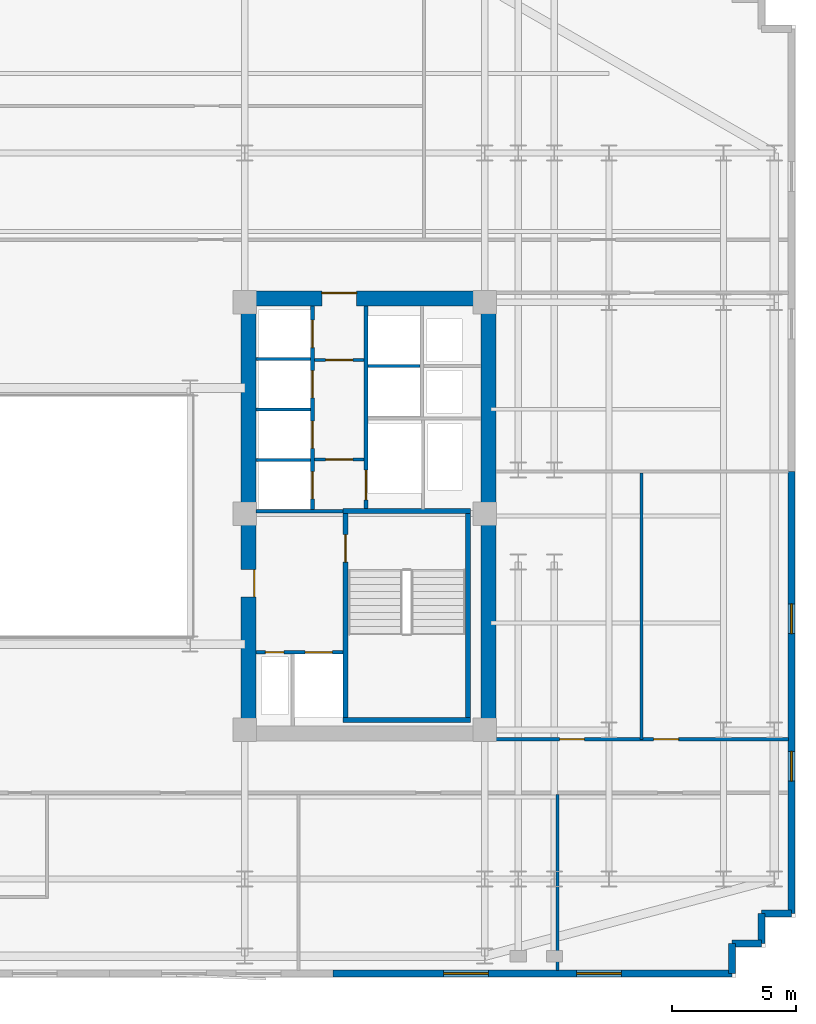
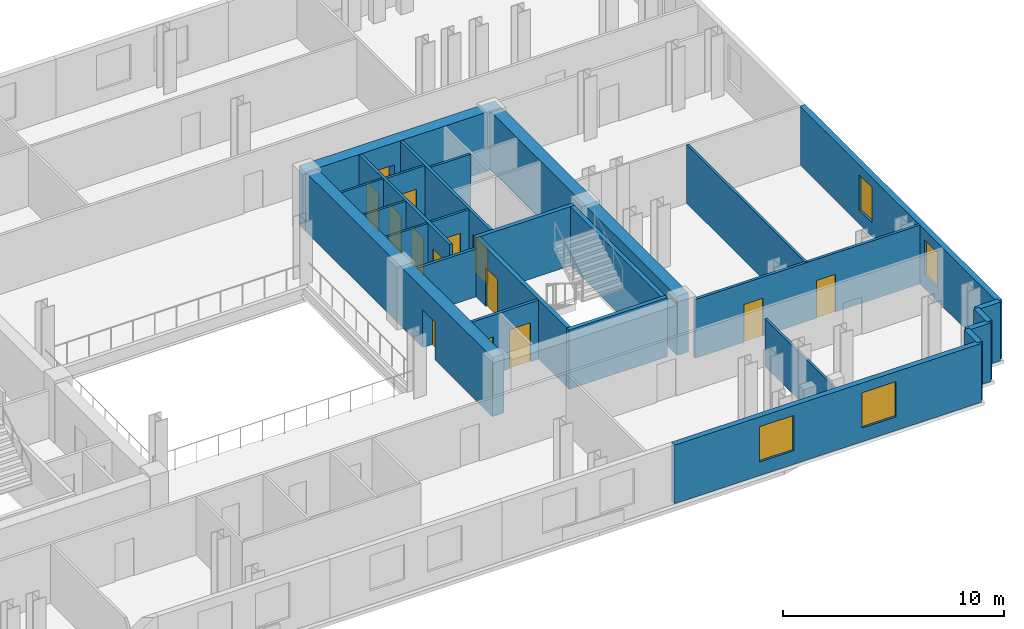
# One storey, part 6 of 10: 26 walls, 14 doors, 4 windows, 18 openings.
"""IFC4 building model written with IfcOpenShell, lengths in metres."""

from ifc_helpers import new_model, si_unit, direction, frame, frame_2d, origin, place, context, subcontext, project, spatial, rectangle, extrude, material, layer, layer_set, type_object, element, fill, save


model = new_model("IFC4")

# Units and contexts
model_context = context("Model", 3, precision=1e-05, world=origin(), true_north=direction((0.0, 1.0)))
body_context = subcontext(model_context, "Body", "Model", "MODEL_VIEW")
ifc_project = project(units=[si_unit("LENGTHUNIT", "METRE"), si_unit("AREAUNIT", "SQUARE_METRE"), si_unit("VOLUMEUNIT", "CUBIC_METRE"), si_unit("PLANEANGLEUNIT", "RADIAN"), si_unit("MASSUNIT", "GRAM", prefix="KILO")], contexts=[model_context])

# Site, building, storey
site_placement = place(None, origin())
site = spatial("IfcSite", under=ifc_project, at=site_placement, CompositionType="ELEMENT")
building_placement = place(site_placement, origin())
building = spatial("IfcBuilding", under=site, at=building_placement, Name="Velakula Bourse", CompositionType="ELEMENT")
storey_placement = place(building_placement, frame((0.0, 0.0, 141.550048828125)))
storey = spatial("IfcBuildingStorey", under=building, at=storey_placement, Name="L38", CompositionType="ELEMENT", Elevation=141.550048828125)

# Wall, opening, door
ifc_material_1 = material(Name="Concrete M50 (fck 50 MPa)", Category="concrete")
ifc_layer_1 = layer(ifc_material_1, 0.2099609375, Name="Concrete M50 (fck 50 MPa)", Category="concrete")
ifc_layer_set_1 = layer_set([ifc_layer_1], Name="Concrete M50 (fck 50 MPa)")
wall_type_1 = type_object("IfcWallType", Name="WL-CORE-210", PredefinedType="SHEAR", material=ifc_layer_set_1)
wall_1_placement = place(storey_placement, frame((12.9951171875, -8.10009765625, 0.0), z_axis=(0.0, 0.0, 1.0), x_axis=(0.0, 1.0, 0.0)))
wall_1 = element("IfcWall", 1, at=wall_1_placement, inside=storey, type_object=wall_type_1, Name="L38 Core E Stairwell Shear Wall IN", PredefinedType="SHEAR", context=body_context, shape_type="SweptSolid", body=[
    extrude(rectangle(XDim=8.2001953125, YDim=0.2099609375, at=frame_2d((4.10009765625, 0.0))), origin(), (0.0, 0.0, 1.0), 3.27001953125),
])
opening_1_placement = place(wall_1_placement, frame((6.25, 0.0, 0.0)))
opening_1 = element("IfcOpeningElement", 2, at=opening_1_placement, cuts=wall_1, Name="Opening D-STE1", PredefinedType="OPENING", context=body_context, shape_type="SweptSolid", body=[
    extrude(rectangle(XDim=1.10009765625, YDim=2.14990234375, at=frame_2d((0.550048828125, 1.074951171875))), frame((0.0, 0.114990234375, 0.0), z_axis=(0.0, -1.0, 0.0), x_axis=(1.0, 0.0, 0.0)), (0.0, 0.0, 1.0), 0.22998046875),
])
ifc_material_2 = material(Name="Galvanised painted hollow steel fire door", Category="steel")
door_type_1 = type_object("IfcDoorType", Name="DR-FD120-1100x2150", OperationType="NOTDEFINED", PredefinedType="DOOR", material=ifc_material_2)
door_1_placement = place(opening_1_placement, origin())
door_1 = element("IfcDoor", 3, at=door_1_placement, inside=storey, type_object=door_type_1, Name="L38 Stair ST-E1 Fire Door", OperationType="SINGLE_SWING_RIGHT", OverallHeight=2.14990234375, OverallWidth=1.10009765625, PredefinedType="DOOR", context=body_context, shape_type="SweptSolid", body=[
    extrude(rectangle(XDim=1.10009765625, YDim=2.14990234375, at=frame_2d((0.550048828125, 1.074951171875))), frame((0.0, 0.02490234375, 0.0), z_axis=(0.0, -1.0, 0.0), x_axis=(1.0, 0.0, 0.0)), (0.0, 0.0, 1.0), 0.050048828125),
])
fill(opening_1, door_1)

# Walls
wall_2_placement = place(storey_placement, frame((17.925048828125, -8.10009765625, 0.0), z_axis=(0.0, 0.0, 1.0), x_axis=(0.0, 1.0, 0.0)))
element("IfcWall", 4, at=wall_2_placement, inside=storey, type_object=wall_type_1, Name="L38 Core E Stairwell Shear Wall OUT", PredefinedType="SHEAR", context=body_context, shape_type="SweptSolid", body=[
    extrude(rectangle(XDim=8.2001953125, YDim=0.2099609375, at=frame_2d((4.10009765625, 0.0))), origin(), (0.0, 0.0, 1.0), 3.27001953125),
])
for number, where, z_axis, x_axis, name in (
    (5, (12.889892578125, -8.205078125, 0.0), (0.0, 0.0, 1.0), (1.0, 0.0, 0.0), "L38 Core E Stairwell Shear Wall S"),
    (6, (18.030029296875, 0.205078125, 0.0), (0.0, 0.0, 1.0), (-1.0, 0.0, 0.0), "L38 Core E Stairwell Shear Wall N"),
):
    element("IfcWall", number, at=place(storey_placement, frame(where, z_axis=z_axis, x_axis=x_axis)), inside=storey, type_object=wall_type_1, Name=name, PredefinedType="SHEAR", context=body_context, shape_type="SweptSolid", body=[
        extrude(rectangle(XDim=5.14013671875, YDim=0.2099609375, at=frame_2d((2.570068359375, 0.0))), origin(), (0.0, 0.0, 1.0), 3.27001953125),
    ])

# Wall, opening, door
ifc_material_3 = material(Name="Concrete M70 (fck 70 MPa)", Category="concrete")
ifc_layer_2 = layer(ifc_material_3, 0.60009765625, Name="Concrete M70 (fck 70 MPa)", Category="concrete")
ifc_layer_set_2 = layer_set([ifc_layer_2], Name="Concrete M70 (fck 70 MPa)")
wall_type_2 = type_object("IfcWallType", Name="WL-CORE-600", PredefinedType="SHEAR", material=ifc_layer_set_2)
wall_3_placement = place(storey_placement, frame((8.800048828125, 8.75, 0.0), z_axis=(0.0, 0.0, 1.0), x_axis=(1.0, 0.0, 0.0)))
wall_3 = element("IfcWall", 7, at=wall_3_placement, inside=storey, type_object=wall_type_2, Name="L38 Core E Shear Wall N", PredefinedType="SHEAR", context=body_context, shape_type="SweptSolid", body=[
    extrude(rectangle(XDim=10.25, YDim=0.60009765625, at=frame_2d((5.125, 0.0))), origin(), (0.0, 0.0, 1.0), 3.27001953125),
])
opening_2_placement = place(wall_3_placement, frame((3.25, 0.0, 0.0)))
opening_2 = element("IfcOpeningElement", 8, at=opening_2_placement, cuts=wall_3, Name="Opening D-LLE", PredefinedType="OPENING", context=body_context, shape_type="SweptSolid", body=[
    extrude(rectangle(XDim=1.39990234375, YDim=2.050048828125, at=frame_2d((0.699951171875, 1.02490234375))), frame((0.0, 0.31005859375, 0.0), z_axis=(0.0, -1.0, 0.0), x_axis=(1.0, 0.0, 0.0)), (0.0, 0.0, 1.0), 0.6201171875),
])
ifc_material_4 = material(Name="Fire-rated hardwood flush architectural door", Category="wood")
door_type_2 = type_object("IfcDoorType", Name="DR-DBL-FD60-1400", OperationType="DOUBLE_DOOR_SINGLE_SWING", PredefinedType="DOOR", material=ifc_material_4)
door_2_placement = place(opening_2_placement, origin())
door_2 = element("IfcDoor", 9, at=door_2_placement, inside=storey, type_object=door_type_2, Name="L38 Core E Lift Lobby Corridor Double Door", OperationType="DOUBLE_DOOR_SINGLE_SWING", OverallHeight=2.050048828125, OverallWidth=1.39990234375, PredefinedType="DOOR", context=body_context, shape_type="SweptSolid", body=[
    extrude(rectangle(XDim=1.39990234375, YDim=2.050048828125, at=frame_2d((0.699951171875, 1.02490234375))), frame((0.0, 0.2451171875, 0.0), z_axis=(0.0, -1.0, 0.0), x_axis=(1.0, 0.0, 0.0)), (0.0, 0.0, 1.0), 0.050048828125),
])
fill(opening_2, door_2)

wall_4_placement = place(storey_placement, frame((9.10009765625, -8.449951171875, 0.0), z_axis=(0.0, 0.0, 1.0), x_axis=(0.0, 1.0, 0.0)))
wall_4 = element("IfcWall", 10, at=wall_4_placement, inside=storey, type_object=wall_type_2, Name="L38 Core E Shear Wall W", PredefinedType="SHEAR", context=body_context, shape_type="SweptSolid", body=[
    extrude(rectangle(XDim=16.89990234375, YDim=0.60009765625, at=frame_2d((8.449951171875, 0.0))), origin(), (0.0, 0.0, 1.0), 3.27001953125),
])
opening_3_placement = place(wall_4_placement, frame((5.199951171875, 0.0, 0.0)))
opening_3 = element("IfcOpeningElement", 11, at=opening_3_placement, cuts=wall_4, Name="Opening D-FLE", PredefinedType="OPENING", context=body_context, shape_type="SweptSolid", body=[
    extrude(rectangle(XDim=1.10009765625, YDim=2.080078125, at=frame_2d((0.550048828125, 1.0400390625))), frame((0.0, 0.31005859375, 0.0), z_axis=(0.0, -1.0, 0.0), x_axis=(1.0, 0.0, 0.0)), (0.0, 0.0, 1.0), 0.6201171875),
])
door_type_3 = type_object("IfcDoorType", Name="DR-FD120-1100", OperationType="NOTDEFINED", PredefinedType="DOOR", material=ifc_material_2)
door_3_placement = place(opening_3_placement, origin())
door_3 = element("IfcDoor", 12, at=door_3_placement, inside=storey, type_object=door_type_3, Name="L38 Firefighting Lobby E Corridor Fire Door", OperationType="SINGLE_SWING_RIGHT", OverallHeight=2.080078125, OverallWidth=1.10009765625, PredefinedType="DOOR", context=body_context, shape_type="SweptSolid", body=[
    extrude(rectangle(XDim=1.10009765625, YDim=2.080078125, at=frame_2d((0.550048828125, 1.0400390625))), frame((0.0, -0.205078125, 0.0), z_axis=(0.0, -1.0, 0.0), x_axis=(1.0, 0.0, 0.0)), (0.0, 0.0, 1.0), 0.050048828125),
])
fill(opening_3, door_3)

# Wall
wall_5_placement = place(storey_placement, frame((18.75, -8.449951171875, 0.0), z_axis=(0.0, 0.0, 1.0), x_axis=(0.0, 1.0, 0.0)))
element("IfcWall", 13, at=wall_5_placement, inside=storey, type_object=wall_type_2, Name="L38 Core E Shear Wall E", PredefinedType="SHEAR", context=body_context, shape_type="SweptSolid", body=[
    extrude(rectangle(XDim=16.89990234375, YDim=0.60009765625, at=frame_2d((8.449951171875, 0.0))), origin(), (0.0, 0.0, 1.0), 3.27001953125),
])

# Wall, openings, windows
ifc_material_5 = material(Name="Red kilned clay facing brick masonry", Category="masonry")
ifc_layer_3 = layer(ifc_material_5, 0.280029296875, Name="Red kilned clay facing brick masonry", Category="masonry")
ifc_layer_set_3 = layer_set([ifc_layer_3], Name="Red kilned clay facing brick masonry")
wall_type_3 = type_object("IfcWallType", Name="WL-EXT-BRK-280", PredefinedType="STANDARD", material=ifc_layer_set_3)
wall_6_placement = place(storey_placement, frame((28.5400390625, -18.389892578125, 0.0), z_axis=(0.0, 0.0, 1.0), x_axis=(-1.0, 0.0, 0.0)))
wall_6 = element("IfcWall", 14, at=wall_6_placement, inside=storey, type_object=wall_type_3, Name="L38 S Brick Spandrel Wall B5", PredefinedType="STANDARD", context=body_context, shape_type="SweptSolid", body=[
    extrude(rectangle(XDim=16.0400390625, YDim=0.280029296875, at=frame_2d((8.02001953125, 0.0))), origin(), (0.0, 0.0, 1.0), 3.25),
])
opening_4_placement = place(wall_6_placement, frame((4.44677734375, 0.0, 0.760009765625)))
opening_4 = element("IfcOpeningElement", 15, at=opening_4_placement, cuts=wall_6, Name="Opening W-01", PredefinedType="OPENING", context=body_context, shape_type="SweptSolid", body=[
    extrude(rectangle(XDim=1.800048828125, YDim=1.949951171875, at=frame_2d((0.89990234375, 0.97509765625))), frame((0.0, 0.14990234375, 0.0), z_axis=(0.0, -1.0, 0.0), x_axis=(1.0, 0.0, 0.0)), (0.0, 0.0, 1.0), 0.300048828125),
])
opening_5_placement = place(wall_6_placement, frame((9.793212890625, 0.0, 0.760009765625)))
opening_5 = element("IfcOpeningElement", 16, at=opening_5_placement, cuts=wall_6, Name="Opening W-01", PredefinedType="OPENING", context=body_context, shape_type="SweptSolid", body=[
    extrude(rectangle(XDim=1.800048828125, YDim=1.949951171875, at=frame_2d((0.89990234375, 0.97509765625))), frame((0.0, 0.14990234375, 0.0), z_axis=(0.0, -1.0, 0.0), x_axis=(1.0, 0.0, 0.0)), (0.0, 0.0, 1.0), 0.300048828125),
])
ifc_material_6 = material(Name="Double-glazed solar-control Low-E glass", Category="glass")
window_type_1 = type_object("IfcWindowType", Name="WIN-TWR-1800x2100", PartitioningType="SINGLE_PANEL", PredefinedType="WINDOW", material=ifc_material_6)
window_1_placement = place(opening_4_placement, origin())
window_1 = element("IfcWindow", 17, at=window_1_placement, inside=storey, type_object=window_type_1, Name="L38 Deep-Set Recessed Window 1", OverallHeight=1.949951171875, OverallWidth=1.800048828125, PartitioningType="SINGLE_PANEL", PredefinedType="WINDOW", context=body_context, shape_type="SweptSolid", body=[
    extrude(rectangle(XDim=1.800048828125, YDim=1.949951171875, at=frame_2d((0.89990234375, 0.97509765625))), frame((0.0, 0.030029296875, 0.0), z_axis=(0.0, -1.0, 0.0), x_axis=(1.0, 0.0, 0.0)), (0.0, 0.0, 1.0), 0.06005859375),
])
fill(opening_4, window_1)
window_2_placement = place(opening_5_placement, origin())
window_2 = element("IfcWindow", 18, at=window_2_placement, inside=storey, type_object=window_type_1, Name="L38 Deep-Set Recessed Window 2", OverallHeight=1.949951171875, OverallWidth=1.800048828125, PartitioningType="SINGLE_PANEL", PredefinedType="WINDOW", context=body_context, shape_type="SweptSolid", body=[
    extrude(rectangle(XDim=1.800048828125, YDim=1.949951171875, at=frame_2d((0.89990234375, 0.97509765625))), frame((0.0, 0.030029296875, 0.0), z_axis=(0.0, -1.0, 0.0), x_axis=(1.0, 0.0, 0.0)), (0.0, 0.0, 1.0), 0.06005859375),
])
fill(opening_5, window_2)

wall_7_placement = place(storey_placement, frame((30.93994140625, 1.800048828125, 0.0), z_axis=(0.0, 0.0, 1.0), x_axis=(0.0, -1.0, 0.0)))
wall_7 = element("IfcWall", 19, at=wall_7_placement, inside=storey, type_object=wall_type_3, Name="L38 E Brick End Wall W1", PredefinedType="STANDARD", context=body_context, shape_type="SweptSolid", body=[
    extrude(rectangle(XDim=17.7900390625, YDim=0.280029296875, at=frame_2d((8.89501953125, 0.0))), origin(), (0.0, 0.0, 1.0), 3.25),
])
opening_6_placement = place(wall_7_placement, frame((5.330078125, 0.0, 0.760009765625)))
opening_6 = element("IfcOpeningElement", 20, at=opening_6_placement, cuts=wall_7, Name="Opening W-04", PredefinedType="OPENING", context=body_context, shape_type="SweptSolid", body=[
    extrude(rectangle(XDim=1.199951171875, YDim=1.949951171875, at=frame_2d((0.60009765625, 0.97509765625))), frame((0.0, 0.14990234375, 0.0), z_axis=(0.0, -1.0, 0.0), x_axis=(1.0, 0.0, 0.0)), (0.0, 0.0, 1.0), 0.300048828125),
])
opening_7_placement = place(wall_7_placement, frame((11.260009765625, 0.0, 0.760009765625)))
opening_7 = element("IfcOpeningElement", 21, at=opening_7_placement, cuts=wall_7, Name="Opening W-04", PredefinedType="OPENING", context=body_context, shape_type="SweptSolid", body=[
    extrude(rectangle(XDim=1.199951171875, YDim=1.949951171875, at=frame_2d((0.60009765625, 0.97509765625))), frame((0.0, 0.14990234375, 0.0), z_axis=(0.0, -1.0, 0.0), x_axis=(1.0, 0.0, 0.0)), (0.0, 0.0, 1.0), 0.300048828125),
])
window_type_2 = type_object("IfcWindowType", Name="WIN-TWR-1200x2100", PartitioningType="SINGLE_PANEL", PredefinedType="WINDOW", material=ifc_material_6)
window_3_placement = place(opening_6_placement, origin())
window_3 = element("IfcWindow", 22, at=window_3_placement, inside=storey, type_object=window_type_2, Name="L38 Deep-Set Recessed Window 1", OverallHeight=1.949951171875, OverallWidth=1.199951171875, PartitioningType="SINGLE_PANEL", PredefinedType="WINDOW", context=body_context, shape_type="SweptSolid", body=[
    extrude(rectangle(XDim=1.199951171875, YDim=1.949951171875, at=frame_2d((0.60009765625, 0.97509765625))), frame((0.0, 0.030029296875, 0.0), z_axis=(0.0, -1.0, 0.0), x_axis=(1.0, 0.0, 0.0)), (0.0, 0.0, 1.0), 0.06005859375),
])
fill(opening_6, window_3)
window_4_placement = place(opening_7_placement, origin())
window_4 = element("IfcWindow", 23, at=window_4_placement, inside=storey, type_object=window_type_2, Name="L38 Deep-Set Recessed Window 2", OverallHeight=1.949951171875, OverallWidth=1.199951171875, PartitioningType="SINGLE_PANEL", PredefinedType="WINDOW", context=body_context, shape_type="SweptSolid", body=[
    extrude(rectangle(XDim=1.199951171875, YDim=1.949951171875, at=frame_2d((0.60009765625, 0.97509765625))), frame((0.0, 0.030029296875, 0.0), z_axis=(0.0, -1.0, 0.0), x_axis=(1.0, 0.0, 0.0)), (0.0, 0.0, 1.0), 0.06005859375),
])
fill(opening_7, window_4)

# Walls
for number, where, z_axis, x_axis, name in (
    (24, (28.5400390625, -18.389892578125, 0.0), (0.0, 0.0, 1.0), (0.0, 1.0, 0.0), "L38 Serrated Corner Brick Wall SE-1"),
    (25, (28.5400390625, -17.18994140625, 0.0), (0.0, 0.0, 1.0), (1.0, 0.0, 0.0), "L38 Serrated Corner Brick Wall SE-2"),
    (26, (29.739990234375, -17.18994140625, 0.0), (0.0, 0.0, 1.0), (0.0, 1.0, 0.0), "L38 Serrated Corner Brick Wall SE-3"),
    (27, (29.739990234375, -15.989990234375, 0.0), (0.0, 0.0, 1.0), (1.0, 0.0, 0.0), "L38 Serrated Corner Brick Wall SE-4"),
):
    element("IfcWall", number, at=place(storey_placement, frame(where, z_axis=z_axis, x_axis=x_axis)), inside=storey, type_object=wall_type_3, Name=name, PredefinedType="STANDARD", context=body_context, shape_type="SweptSolid", body=[
        extrude(rectangle(XDim=1.199951171875, YDim=0.280029296875, at=frame_2d((0.60009765625, 0.0))), origin(), (0.0, 0.0, 1.0), 3.25),
    ])

# Wall, opening, door
ifc_material_7 = material(Name="Fire-rated double-layer gypsum drywall partition", Category="gypsum")
ifc_layer_4 = layer(ifc_material_7, 0.1201171875, Name="Fire-rated double-layer gypsum drywall partition", Category="gypsum")
ifc_layer_set_4 = layer_set([ifc_layer_4], Name="Fire-rated double-layer gypsum drywall partition")
wall_type_4 = type_object("IfcWallType", Name="WL-PART-120", PredefinedType="STANDARD", material=ifc_layer_set_4)
wall_8_placement = place(storey_placement, frame((11.75, 2.280029296875, 0.0), z_axis=(0.0, 0.0, 1.0), x_axis=(1.0, 0.0, 0.0)))
wall_8 = element("IfcWall", 28, at=wall_8_placement, inside=storey, type_object=wall_type_4, Name="L38 Interior Partition WL-CRE-L38-LL-K3A", PredefinedType="STANDARD", context=body_context, shape_type="SweptSolid", body=[
    extrude(rectangle(XDim=2.0, YDim=0.1201171875, at=frame_2d((1.0, 0.0))), origin(), (0.0, 0.0, 1.0), 3.25),
])
opening_8_placement = place(wall_8_placement, frame((0.449951171875, 0.0, 0.0)))
opening_8 = element("IfcOpeningElement", 29, at=opening_8_placement, cuts=wall_8, Name="Opening D-LK3", PredefinedType="OPENING", context=body_context, shape_type="SweptSolid", body=[
    extrude(rectangle(XDim=1.10009765625, YDim=2.10009765625, at=frame_2d((0.550048828125, 1.050048828125))), frame((0.0, 0.070068359375, 0.0), z_axis=(0.0, -1.0, 0.0), x_axis=(1.0, 0.0, 0.0)), (0.0, 0.0, 1.0), 0.14013671875),
])
door_type_4 = type_object("IfcDoorType", Name="DR-FD60-1100x2100", OperationType="NOTDEFINED", PredefinedType="DOOR", material=ifc_material_4)
door_4_placement = place(opening_8_placement, origin())
door_4 = element("IfcDoor", 30, at=door_4_placement, inside=storey, type_object=door_type_4, Name="L38 Core E Lift Lobby Vestibule Door A", OperationType="SINGLE_SWING_RIGHT", OverallHeight=2.10009765625, OverallWidth=1.10009765625, PredefinedType="DOOR", context=body_context, shape_type="SweptSolid", body=[
    extrude(rectangle(XDim=1.10009765625, YDim=2.10009765625, at=frame_2d((0.550048828125, 1.050048828125))), frame((0.0, 0.02490234375, 0.0), z_axis=(0.0, -1.0, 0.0), x_axis=(1.0, 0.0, 0.0)), (0.0, 0.0, 1.0), 0.050048828125),
])
fill(opening_8, door_4)

wall_9_placement = place(storey_placement, frame((11.75, 6.280029296875, 0.0), z_axis=(0.0, 0.0, 1.0), x_axis=(1.0, 0.0, 0.0)))
wall_9 = element("IfcWall", 31, at=wall_9_placement, inside=storey, type_object=wall_type_4, Name="L38 Interior Partition WL-CRE-L38-LL-K3B", PredefinedType="STANDARD", context=body_context, shape_type="SweptSolid", body=[
    extrude(rectangle(XDim=2.0, YDim=0.1201171875, at=frame_2d((1.0, 0.0))), origin(), (0.0, 0.0, 1.0), 3.25),
])
opening_9_placement = place(wall_9_placement, frame((0.449951171875, 0.0, 0.0)))
opening_9 = element("IfcOpeningElement", 32, at=opening_9_placement, cuts=wall_9, Name="Opening D-LK3", PredefinedType="OPENING", context=body_context, shape_type="SweptSolid", body=[
    extrude(rectangle(XDim=1.10009765625, YDim=2.10009765625, at=frame_2d((0.550048828125, 1.050048828125))), frame((0.0, 0.070068359375, 0.0), z_axis=(0.0, -1.0, 0.0), x_axis=(1.0, 0.0, 0.0)), (0.0, 0.0, 1.0), 0.14013671875),
])
door_5_placement = place(opening_9_placement, origin())
door_5 = element("IfcDoor", 33, at=door_5_placement, inside=storey, type_object=door_type_4, Name="L38 Core E Lift Lobby Vestibule Door B", OperationType="SINGLE_SWING_RIGHT", OverallHeight=2.10009765625, OverallWidth=1.10009765625, PredefinedType="DOOR", context=body_context, shape_type="SweptSolid", body=[
    extrude(rectangle(XDim=1.10009765625, YDim=2.10009765625, at=frame_2d((0.550048828125, 1.050048828125))), frame((0.0, 0.02490234375, 0.0), z_axis=(0.0, -1.0, 0.0), x_axis=(1.0, 0.0, 0.0)), (0.0, 0.0, 1.0), 0.050048828125),
])
fill(opening_9, door_5)

# Walls
for number, where, z_axis, x_axis, name in (
    (34, (9.39990234375, 2.2548828125, 0.0), (0.0, 0.0, 1.0), (1.0, 0.0, 0.0), "L38 Interior Partition WL-CRE-L38-BDIV-0"),
    (35, (9.39990234375, 4.284912109375, 0.0), (0.0, 0.0, 1.0), (1.0, 0.0, 0.0), "L38 Interior Partition WL-CRE-L38-BDIV-1"),
    (36, (9.39990234375, 6.31494140625, 0.0), (0.0, 0.0, 1.0), (1.0, 0.0, 0.0), "L38 Interior Partition WL-CRE-L38-BDIV-2"),
):
    element("IfcWall", number, at=place(storey_placement, frame(where, z_axis=z_axis, x_axis=x_axis)), inside=storey, type_object=wall_type_4, Name=name, PredefinedType="STANDARD", context=body_context, shape_type="SweptSolid", body=[
        extrude(rectangle(XDim=2.2001953125, YDim=0.110107421875, at=frame_2d((1.10009765625, 0.0))), origin(), (0.0, 0.0, 1.0), 3.25),
    ])
wall_10_placement = place(storey_placement, frame((13.89990234375, 6.030029296875, 0.0), z_axis=(0.0, 0.0, 1.0), x_axis=(1.0, 0.0, 0.0)))
element("IfcWall", 37, at=wall_10_placement, inside=storey, type_object=wall_type_4, Name="L38 Interior Partition WL-CRE-L38-HI-DIV", PredefinedType="STANDARD", context=body_context, shape_type="SweptSolid", body=[
    extrude(rectangle(XDim=2.10009765625, YDim=0.1201171875, at=frame_2d((1.050048828125, 0.0))), origin(), (0.0, 0.0, 1.0), 3.25),
])
wall_11_placement = place(storey_placement, frame((21.533935546875, -18.27001953125, 0.0), z_axis=(0.0, 0.0, 1.0), x_axis=(0.0, 1.0, 0.0)))
element("IfcWall", 38, at=wall_11_placement, inside=storey, type_object=wall_type_4, Name="L38 Interior Partition WL-INT-L38-SR-D8", PredefinedType="STANDARD", context=body_context, shape_type="SweptSolid", body=[
    extrude(rectangle(XDim=7.080078125, YDim=0.1201171875, at=frame_2d((3.5400390625, 0.0))), origin(), (0.0, 0.0, 1.0), 2.64501953125),
])
wall_12_placement = place(storey_placement, frame((24.905029296875, -8.97998046875, 0.0), z_axis=(0.0, 0.0, 1.0), x_axis=(0.0, 1.0, 0.0)))
element("IfcWall", 39, at=wall_12_placement, inside=storey, type_object=wall_type_4, Name="L38 Interior Partition WL-INT-L38-E-VS", PredefinedType="STANDARD", context=body_context, shape_type="SweptSolid", body=[
    extrude(rectangle(XDim=10.719970703125, YDim=0.1201171875, at=frame_2d((5.35986328125, 0.0))), origin(), (0.0, 0.0, 1.0), 3.25),
])

# Wall, openings, doors
ifc_layer_5 = layer(ifc_material_7, 0.139892578125, Name="Fire-rated double-layer gypsum drywall partition", Category="gypsum")
ifc_layer_set_5 = layer_set([ifc_layer_5], Name="Fire-rated double-layer gypsum drywall partition")
wall_type_5 = type_object("IfcWallType", Name="WL-PART-140", PredefinedType="STANDARD", material=ifc_layer_set_5)
wall_13_placement = place(storey_placement, frame((19.050048828125, -8.97998046875, 0.0), z_axis=(0.0, 0.0, 1.0), x_axis=(1.0, 0.0, 0.0)))
wall_13 = element("IfcWall", 40, at=wall_13_placement, inside=storey, type_object=wall_type_5, Name="L38 Interior Partition WL-INT-L38-E-SC", PredefinedType="STANDARD", context=body_context, shape_type="SweptSolid", body=[
    extrude(rectangle(XDim=11.77001953125, YDim=0.139892578125, at=frame_2d((5.885009765625, 0.0))), origin(), (0.0, 0.0, 1.0), 3.25),
])
opening_10_placement = place(wall_13_placement, frame((2.5576171875, 0.0, 0.0)))
opening_10 = element("IfcOpeningElement", 41, at=opening_10_placement, cuts=wall_13, Name="Opening D-OF1", PredefinedType="OPENING", context=body_context, shape_type="SweptSolid", body=[
    extrude(rectangle(XDim=1.0, YDim=2.080078125, at=frame_2d((0.5, 1.0400390625))), frame((0.0, 0.079833984375, 0.0), z_axis=(0.0, -1.0, 0.0), x_axis=(1.0, 0.0, 0.0)), (0.0, 0.0, 1.0), 0.159912109375),
])
opening_11_placement = place(wall_13_placement, frame((6.346923828125, 0.0, 0.0)))
opening_11 = element("IfcOpeningElement", 42, at=opening_11_placement, cuts=wall_13, Name="Opening D-OF1", PredefinedType="OPENING", context=body_context, shape_type="SweptSolid", body=[
    extrude(rectangle(XDim=1.0, YDim=2.080078125, at=frame_2d((0.5, 1.0400390625))), frame((0.0, 0.079833984375, 0.0), z_axis=(0.0, -1.0, 0.0), x_axis=(1.0, 0.0, 0.0)), (0.0, 0.0, 1.0), 0.159912109375),
])
door_type_5 = type_object("IfcDoorType", Name="DR-OFF-1000", OperationType="NOTDEFINED", PredefinedType="DOOR", material=ifc_material_4)
door_6_placement = place(opening_10_placement, origin())
door_6 = element("IfcDoor", 43, at=door_6_placement, inside=storey, type_object=door_type_5, Name="L38 ETF Market-Making Workspace Door", OperationType="SINGLE_SWING_RIGHT", OverallHeight=2.080078125, OverallWidth=1.0, PredefinedType="DOOR", context=body_context, shape_type="SweptSolid", body=[
    extrude(rectangle(XDim=1.0, YDim=2.080078125, at=frame_2d((0.5, 1.0400390625))), frame((0.0, 0.02490234375, 0.0), z_axis=(0.0, -1.0, 0.0), x_axis=(1.0, 0.0, 0.0)), (0.0, 0.0, 1.0), 0.050048828125),
])
fill(opening_10, door_6)
door_7_placement = place(opening_11_placement, origin())
door_7 = element("IfcDoor", 44, at=door_7_placement, inside=storey, type_object=door_type_5, Name="L38 Asset Allocation Office Door", OperationType="SINGLE_SWING_LEFT", OverallHeight=2.080078125, OverallWidth=1.0, PredefinedType="DOOR", context=body_context, shape_type="SweptSolid", body=[
    extrude(rectangle(XDim=1.0, YDim=2.080078125, at=frame_2d((0.5, 1.0400390625))), frame((0.0, 0.02490234375, 0.0), z_axis=(0.0, -1.0, 0.0), x_axis=(1.0, 0.0, 0.0)), (0.0, 0.0, 1.0), 0.050048828125),
])
fill(opening_11, door_7)

ifc_material_8 = material(Name="Autoclaved aerated concrete blockwork masonry", Category="masonry")
ifc_layer_6 = layer(ifc_material_8, 0.14990234375, Name="Autoclaved aerated concrete blockwork masonry", Category="masonry")
ifc_layer_set_6 = layer_set([ifc_layer_6], Name="Autoclaved aerated concrete blockwork masonry")
wall_type_6 = type_object("IfcWallType", Name="WL-SHAFT-150", PredefinedType="STANDARD", material=ifc_layer_set_6)
wall_14_placement = place(storey_placement, frame((9.39990234375, -5.47509765625, 0.0), z_axis=(0.0, 0.0, 1.0), x_axis=(1.0, 0.0, 0.0)))
wall_14 = element("IfcWall", 45, at=wall_14_placement, inside=storey, type_object=wall_type_6, Name="L38 Interior Partition WL-CRE-L38-FFL-N", PredefinedType="STANDARD", context=body_context, shape_type="SweptSolid", body=[
    extrude(rectangle(XDim=3.4951171875, YDim=0.14990234375, at=frame_2d((1.74755859375, 0.0))), origin(), (0.0, 0.0, 1.0), 3.25),
])
opening_12_placement = place(wall_14_placement, frame((1.97509765625, 0.0, 0.0)))
opening_12 = element("IfcOpeningElement", 46, at=opening_12_placement, cuts=wall_14, Name="Opening LD-FFL-2", PredefinedType="OPENING", context=body_context, shape_type="SweptSolid", body=[
    extrude(rectangle(XDim=1.10009765625, YDim=2.14990234375, at=frame_2d((0.550048828125, 1.074951171875))), frame((0.0, 0.0849609375, 0.0), z_axis=(0.0, -1.0, 0.0), x_axis=(1.0, 0.0, 0.0)), (0.0, 0.0, 1.0), 0.169921875),
])
opening_13_placement = place(wall_14_placement, frame((0.375, 0.0, 0.0)))
opening_13 = element("IfcOpeningElement", 47, at=opening_13_placement, cuts=wall_14, Name="Opening D-RS1", PredefinedType="OPENING", context=body_context, shape_type="SweptSolid", body=[
    extrude(rectangle(XDim=0.75, YDim=2.050048828125, at=frame_2d((0.375, 1.02490234375))), frame((0.0, 0.0849609375, 0.0), z_axis=(0.0, -1.0, 0.0), x_axis=(1.0, 0.0, 0.0)), (0.0, 0.0, 1.0), 0.169921875),
])
door_type_6 = type_object("IfcDoorType", Name="DR-RISER-800", OperationType="NOTDEFINED", PredefinedType="DOOR", material=ifc_material_2)
door_8_placement = place(opening_13_placement, origin())
door_8 = element("IfcDoor", 48, at=door_8_placement, inside=storey, type_object=door_type_6, Name="L38 Fire Riser Access Door", OperationType="SINGLE_SWING_LEFT", OverallHeight=2.050048828125, OverallWidth=0.75, PredefinedType="DOOR", context=body_context, shape_type="SweptSolid", body=[
    extrude(rectangle(XDim=0.75, YDim=2.050048828125, at=frame_2d((0.375, 1.02490234375))), frame((0.0, 0.02490234375, 0.0), z_axis=(0.0, -1.0, 0.0), x_axis=(1.0, 0.0, 0.0)), (0.0, 0.0, 1.0), 0.050048828125),
])
fill(opening_13, door_8)
ifc_material_9 = material(Name="Brushed grade 316 stainless steel", Category="steel")
door_type_7 = type_object("IfcDoorType", Name="DR-SLIDE-FFL-1100", OperationType="DOUBLE_DOOR_SLIDING", PredefinedType="DOOR", material=ifc_material_9)
door_9_placement = place(opening_12_placement, origin())
door_9 = element("IfcDoor", 49, at=door_9_placement, inside=storey, type_object=door_type_7, Name="L38 Firefighting Lift FFL-2 Sliding Landing Door", OperationType="DOUBLE_DOOR_SLIDING", OverallHeight=2.14990234375, OverallWidth=1.10009765625, PredefinedType="DOOR", context=body_context, shape_type="SweptSolid", body=[
    extrude(rectangle(XDim=1.10009765625, YDim=2.14990234375, at=frame_2d((0.550048828125, 1.074951171875))), frame((0.0, 0.02490234375, 0.0), z_axis=(0.0, -1.0, 0.0), x_axis=(1.0, 0.0, 0.0)), (0.0, 0.0, 1.0), 0.050048828125),
])
fill(opening_12, door_9)

# Wall
wall_15_placement = place(storey_placement, frame((9.39990234375, 0.18994140625, 0.0), z_axis=(0.0, 0.0, 1.0), x_axis=(1.0, 0.0, 0.0)))
element("IfcWall", 50, at=wall_15_placement, inside=storey, type_object=wall_type_6, Name="L38 Interior Partition WL-CRE-L38-FF-TOP", PredefinedType="STANDARD", context=body_context, shape_type="SweptSolid", body=[
    extrude(rectangle(XDim=3.489990234375, YDim=0.14990234375, at=frame_2d((1.7451171875, 0.0))), origin(), (0.0, 0.0, 1.0), 2.64501953125),
])

# Wall, openings, doors
wall_16_placement = place(storey_placement, frame((11.675048828125, 0.27001953125, 0.0), z_axis=(0.0, 0.0, 1.0), x_axis=(0.0, 1.0, 0.0)))
wall_16 = element("IfcWall", 51, at=wall_16_placement, inside=storey, type_object=wall_type_6, Name="L38 Interior Partition WL-CRE-L38-BANK-F", PredefinedType="STANDARD", context=body_context, shape_type="SweptSolid", body=[
    extrude(rectangle(XDim=8.179931640625, YDim=0.14990234375, at=frame_2d((4.08984375, 0.0))), origin(), (0.0, 0.0, 1.0), 3.25),
])
opening_14_placement = place(wall_16_placement, frame((0.419921875, 0.0, 0.0)))
opening_14 = element("IfcOpeningElement", 52, at=opening_14_placement, cuts=wall_16, Name="Opening LD-P5", PredefinedType="OPENING", context=body_context, shape_type="SweptSolid", body=[
    extrude(rectangle(XDim=1.10009765625, YDim=2.10009765625, at=frame_2d((0.550048828125, 1.050048828125))), frame((0.0, 0.0849609375, 0.0), z_axis=(0.0, -1.0, 0.0), x_axis=(1.0, 0.0, 0.0)), (0.0, 0.0, 1.0), 0.169921875),
])
opening_15_placement = place(wall_16_placement, frame((2.449951171875, 0.0, 0.0)))
opening_15 = element("IfcOpeningElement", 53, at=opening_15_placement, cuts=wall_16, Name="Opening LD-P6", PredefinedType="OPENING", context=body_context, shape_type="SweptSolid", body=[
    extrude(rectangle(XDim=1.10009765625, YDim=2.10009765625, at=frame_2d((0.550048828125, 1.050048828125))), frame((0.0, 0.0849609375, 0.0), z_axis=(0.0, -1.0, 0.0), x_axis=(1.0, 0.0, 0.0)), (0.0, 0.0, 1.0), 0.169921875),
])
opening_16_placement = place(wall_16_placement, frame((4.47998046875, 0.0, 0.0)))
opening_16 = element("IfcOpeningElement", 54, at=opening_16_placement, cuts=wall_16, Name="Opening LD-P7", PredefinedType="OPENING", context=body_context, shape_type="SweptSolid", body=[
    extrude(rectangle(XDim=1.10009765625, YDim=2.10009765625, at=frame_2d((0.550048828125, 1.050048828125))), frame((0.0, 0.0849609375, 0.0), z_axis=(0.0, -1.0, 0.0), x_axis=(1.0, 0.0, 0.0)), (0.0, 0.0, 1.0), 0.169921875),
])
opening_17_placement = place(wall_16_placement, frame((6.510009765625, 0.0, 0.0)))
opening_17 = element("IfcOpeningElement", 55, at=opening_17_placement, cuts=wall_16, Name="Opening LD-P8", PredefinedType="OPENING", context=body_context, shape_type="SweptSolid", body=[
    extrude(rectangle(XDim=1.10009765625, YDim=2.10009765625, at=frame_2d((0.550048828125, 1.050048828125))), frame((0.0, 0.0849609375, 0.0), z_axis=(0.0, -1.0, 0.0), x_axis=(1.0, 0.0, 0.0)), (0.0, 0.0, 1.0), 0.169921875),
])
door_type_8 = type_object("IfcDoorType", Name="DR-SLIDE-LD-1100", OperationType="DOUBLE_DOOR_SLIDING", PredefinedType="DOOR", material=ifc_material_9)
door_10_placement = place(opening_14_placement, origin())
door_10 = element("IfcDoor", 56, at=door_10_placement, inside=storey, type_object=door_type_8, Name="L38 Passenger Lift P5 Sliding Landing Door", OperationType="DOUBLE_DOOR_SLIDING", OverallHeight=2.10009765625, OverallWidth=1.10009765625, PredefinedType="DOOR", context=body_context, shape_type="SweptSolid", body=[
    extrude(rectangle(XDim=1.10009765625, YDim=2.10009765625, at=frame_2d((0.550048828125, 1.050048828125))), frame((0.0, 0.02490234375, 0.0), z_axis=(0.0, -1.0, 0.0), x_axis=(1.0, 0.0, 0.0)), (0.0, 0.0, 1.0), 0.050048828125),
])
fill(opening_14, door_10)
door_11_placement = place(opening_15_placement, origin())
door_11 = element("IfcDoor", 57, at=door_11_placement, inside=storey, type_object=door_type_8, Name="L38 Passenger Lift P6 Sliding Landing Door", OperationType="DOUBLE_DOOR_SLIDING", OverallHeight=2.10009765625, OverallWidth=1.10009765625, PredefinedType="DOOR", context=body_context, shape_type="SweptSolid", body=[
    extrude(rectangle(XDim=1.10009765625, YDim=2.10009765625, at=frame_2d((0.550048828125, 1.050048828125))), frame((0.0, 0.02490234375, 0.0), z_axis=(0.0, -1.0, 0.0), x_axis=(1.0, 0.0, 0.0)), (0.0, 0.0, 1.0), 0.050048828125),
])
fill(opening_15, door_11)
door_12_placement = place(opening_16_placement, origin())
door_12 = element("IfcDoor", 58, at=door_12_placement, inside=storey, type_object=door_type_8, Name="L38 Passenger Lift P7 Sliding Landing Door", OperationType="DOUBLE_DOOR_SLIDING", OverallHeight=2.10009765625, OverallWidth=1.10009765625, PredefinedType="DOOR", context=body_context, shape_type="SweptSolid", body=[
    extrude(rectangle(XDim=1.10009765625, YDim=2.10009765625, at=frame_2d((0.550048828125, 1.050048828125))), frame((0.0, 0.02490234375, 0.0), z_axis=(0.0, -1.0, 0.0), x_axis=(1.0, 0.0, 0.0)), (0.0, 0.0, 1.0), 0.050048828125),
])
fill(opening_16, door_12)
door_13_placement = place(opening_17_placement, origin())
door_13 = element("IfcDoor", 59, at=door_13_placement, inside=storey, type_object=door_type_8, Name="L38 Passenger Lift P8 Sliding Landing Door", OperationType="DOUBLE_DOOR_SLIDING", OverallHeight=2.10009765625, OverallWidth=1.10009765625, PredefinedType="DOOR", context=body_context, shape_type="SweptSolid", body=[
    extrude(rectangle(XDim=1.10009765625, YDim=2.10009765625, at=frame_2d((0.550048828125, 1.050048828125))), frame((0.0, 0.02490234375, 0.0), z_axis=(0.0, -1.0, 0.0), x_axis=(1.0, 0.0, 0.0)), (0.0, 0.0, 1.0), 0.050048828125),
])
fill(opening_17, door_13)

# Wall, opening, door
wall_17_placement = place(storey_placement, frame((13.824951171875, 0.27001953125, 0.0), z_axis=(0.0, 0.0, 1.0), x_axis=(0.0, 1.0, 0.0)))
wall_17 = element("IfcWall", 60, at=wall_17_placement, inside=storey, type_object=wall_type_6, Name="L38 Interior Partition WL-CRE-L38-OUT-F", PredefinedType="STANDARD", context=body_context, shape_type="SweptSolid", body=[
    extrude(rectangle(XDim=8.179931640625, YDim=0.14990234375, at=frame_2d((4.08984375, 0.0))), origin(), (0.0, 0.0, 1.0), 3.25),
])
opening_18_placement = place(wall_17_placement, frame((0.3798828125, 0.0, 0.0)))
opening_18 = element("IfcOpeningElement", 61, at=opening_18_placement, cuts=wall_17, Name="Opening LD-SVL1", PredefinedType="OPENING", context=body_context, shape_type="SweptSolid", body=[
    extrude(rectangle(XDim=1.199951171875, YDim=2.10009765625, at=frame_2d((0.60009765625, 1.050048828125))), frame((0.0, 0.0849609375, 0.0), z_axis=(0.0, -1.0, 0.0), x_axis=(1.0, 0.0, 0.0)), (0.0, 0.0, 1.0), 0.169921875),
])
door_type_9 = type_object("IfcDoorType", Name="DR-SLIDE-LD-1200", OperationType="DOUBLE_DOOR_SLIDING", PredefinedType="DOOR", material=ifc_material_9)
door_14_placement = place(opening_18_placement, origin())
door_14 = element("IfcDoor", 62, at=door_14_placement, inside=storey, type_object=door_type_9, Name="L38 Service Lift SVL-1 Sliding Landing Door", OperationType="DOUBLE_DOOR_SLIDING", OverallHeight=2.10009765625, OverallWidth=1.199951171875, PredefinedType="DOOR", context=body_context, shape_type="SweptSolid", body=[
    extrude(rectangle(XDim=1.199951171875, YDim=2.10009765625, at=frame_2d((0.60009765625, 1.050048828125))), frame((0.0, 0.02490234375, 0.0), z_axis=(0.0, -1.0, 0.0), x_axis=(1.0, 0.0, 0.0)), (0.0, 0.0, 1.0), 0.050048828125),
])
fill(opening_18, door_14)

save(model, "model.ifc")
